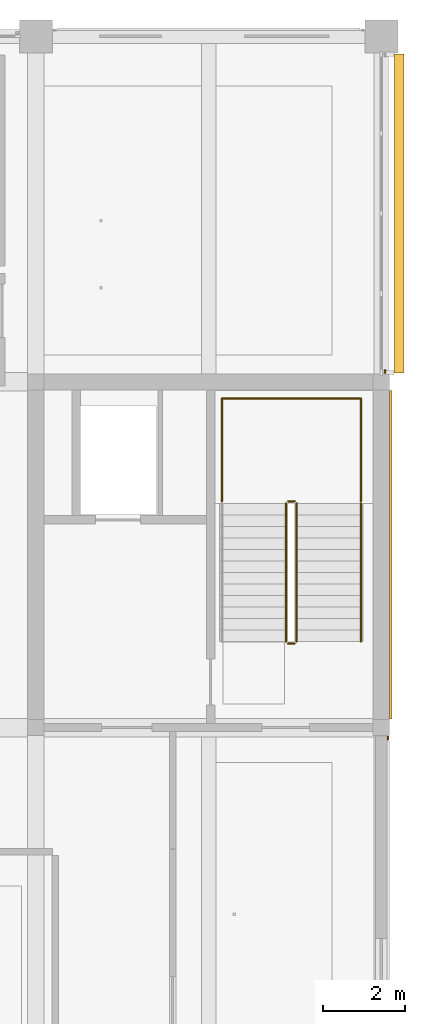
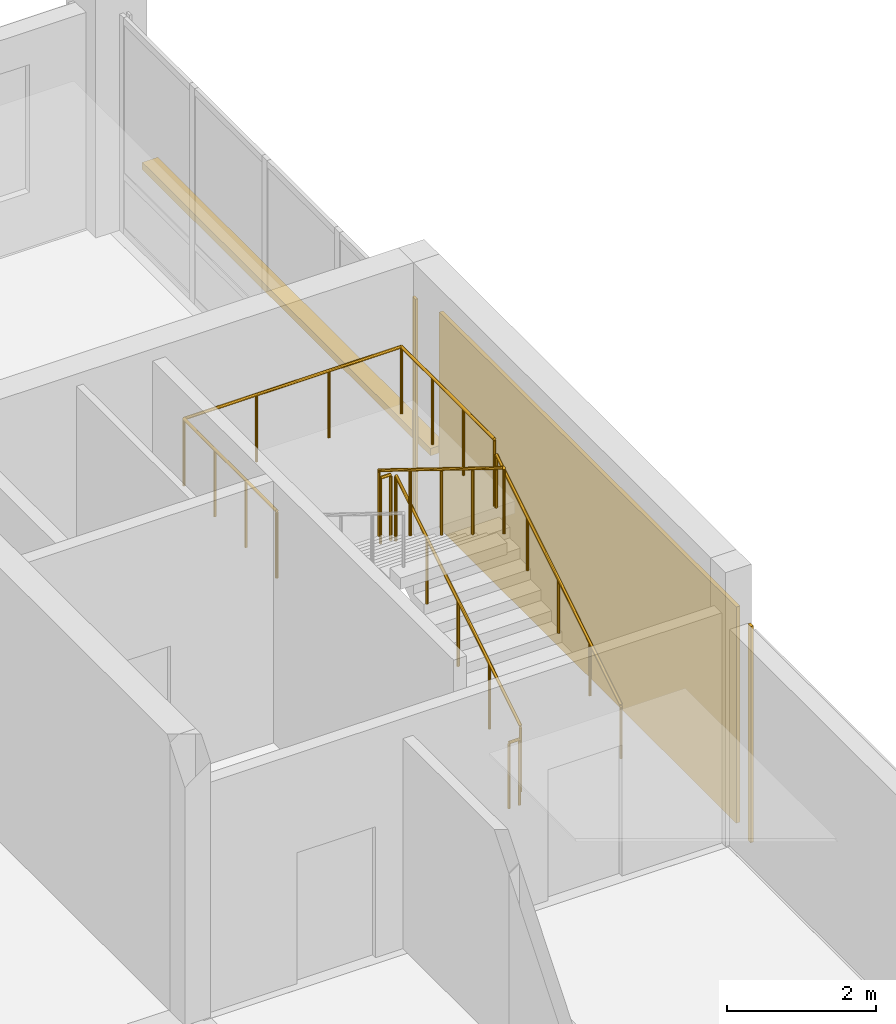
# One storey, part 31 of 34: 6 railings, 3 coverings, 1 shading device.
"""IFC4 building model written with IfcOpenShell, lengths in metres."""

from ifc_helpers import new_model, si_unit, direction, frame, origin, origin_2d, place, context, subcontext, project, spatial, rectangle, circle, extrude, material, layer, layer_set, type_object, element, save


model = new_model("IFC4")

# Units and contexts
model_context = context("Model", 3, precision=1e-05, world=origin(), true_north=direction((0.0, 1.0)))
body_context = subcontext(model_context, "Body", "Model", "MODEL_VIEW")
ifc_project = project(units=[si_unit("LENGTHUNIT", "METRE"), si_unit("AREAUNIT", "SQUARE_METRE"), si_unit("VOLUMEUNIT", "CUBIC_METRE"), si_unit("PLANEANGLEUNIT", "RADIAN"), si_unit("MASSUNIT", "GRAM", prefix="KILO")], contexts=[model_context])

# Site, building, storey
site_placement = place(None, origin())
site = spatial("IfcSite", under=ifc_project, at=site_placement, CompositionType="ELEMENT")
building_placement = place(site_placement, origin())
building = spatial("IfcBuilding", under=site, at=building_placement, Name="Telukmera Botanical Conservatory", CompositionType="ELEMENT")
storey_placement = place(building_placement, frame((0.0, 0.0, 37.5)))
storey = spatial("IfcBuildingStorey", under=building, at=storey_placement, Name="L08", CompositionType="ELEMENT", Elevation=37.5)

# Coverings
ifc_material_1 = material(Name="Granite-faced precast concrete C40/50", Category="masonry")
ifc_layer_1 = layer(ifc_material_1, 0.0400390625)
ifc_layer_set_1 = layer_set([ifc_layer_1], Name="Granite-faced precast concrete C40/50")
covering_type_1 = type_object("IfcCoveringType", Name="Granite Precast Column Pier Reveal Casing", PredefinedType="CLADDING", material=ifc_layer_set_1)
for number, where, z_axis, x_axis, name in (
    (1, (100.9599609375, 25.748046875, 0.0), (0.0, 0.0, 1.0), (0.0, 1.0, 0.0), "Granite Pier Reveal V4:L08:E2 R"),
    (2, (100.889892578125, 34.652099609375, 0.0), (0.0, 0.0, 1.0), (0.0, 1.0, 0.0), "Granite Pier Reveal V4:L08:E4 L"),
):
    element("IfcCovering", number, at=place(storey_placement, frame(where, z_axis=z_axis, x_axis=x_axis)), inside=storey, type_object=covering_type_1, Name=name, PredefinedType="CLADDING", context=body_context, shape_type="SweptSolid", body=[
        extrude(rectangle(XDim=0.080078125, YDim=0.0400390625, at=origin_2d()), origin(), (0.0, 0.0, 1.0), 3.550048828125),
    ])

# Shading device
ifc_material_2 = material(Name="Perforated terracotta-anodised aluminium 6063-T6", Category="masonry")
ifc_layer_2 = layer(ifc_material_2, 0.044921875)
ifc_layer_set_2 = layer_set([ifc_layer_2], Name="Perforated terracotta-anodised aluminium 6063-T6")
shading_device_type = type_object("IfcShadingDeviceType", Name="Perforated Terracotta Aluminium Monsoon Brise Soleil", PredefinedType="JALOUSIE", material=ifc_layer_set_2)
shading_device_placement = place(storey_placement, frame((101.22998046875, 38.5, 0.889892578125), z_axis=(0.0, 0.0, 1.0), x_axis=(0.0, 1.0, 0.0)))
element("IfcShadingDevice", 3, at=shading_device_placement, inside=storey, type_object=shading_device_type, Name="Monsoon Shading BS01 V4:L08:E4", PredefinedType="JALOUSIE", context=body_context, shape_type="SweptSolid", body=[
    extrude(rectangle(XDim=7.756103515625, YDim=0.239990234375, at=origin_2d()), origin(), (0.0, 0.0, 1.0), 0.1201171875),
])

# Railings
ifc_material_3 = material(Name="Steel S355", Category="steel")
railing_type_1 = type_object("IfcRailingType", Name="RL-GUARD-1100", PredefinedType="GUARDRAIL", material=ifc_material_3)
railing_1_placement = place(storey_placement, frame((98.739990234375, 28.090087890625, 0.173095703125)))
element("IfcRailing", 4, at=railing_1_placement, inside=storey, type_object=railing_type_1, Name="L08 ST2 stair guard 1", PredefinedType="GUARDRAIL", context=body_context, shape_type="SweptSolid", body=[
    extrude(circle(Radius=0.02392578125, at=origin_2d()), frame((0.0, 0.0, 1.076171875), z_axis=(0.0, 0.850606129759, 0.525803396734), x_axis=(-1.0, 0.0, 0.0)), (0.0, 0.0, 1.0), 3.949951171875),
    extrude(circle(Radius=0.02099609375, at=origin_2d()), origin(), (0.0, 0.0, 1.0), 1.052001953125),
    extrude(circle(Radius=0.02099609375, at=origin_2d()), frame((0.0, 0.83984375, 0.519287109375)), (0.0, 0.0, 1.0), 1.052001953125),
    extrude(circle(Radius=0.02099609375, at=origin_2d()), frame((0.0, 1.679931640625, 1.03857421875)), (0.0, 0.0, 1.0), 1.052001953125),
    extrude(circle(Radius=0.02099609375, at=origin_2d()), frame((0.0, 2.52001953125, 1.5576171875)), (0.0, 0.0, 1.0), 1.052001953125),
    extrude(circle(Radius=0.02099609375, at=origin_2d()), frame((0.0, 3.35986328125, 2.076904296875)), (0.0, 0.0, 1.0), 1.052001953125),
])
railing_2_placement = place(storey_placement, frame((98.68994140625, 31.5, 2.25)))
element("IfcRailing", 5, at=railing_2_placement, inside=storey, type_object=railing_type_1, Name="L08 ST2 stair guard 2", PredefinedType="GUARDRAIL", context=body_context, shape_type="SweptSolid", body=[
    extrude(circle(Radius=0.02392578125, at=origin_2d()), frame((0.0, 0.0, 1.076171875), z_axis=(-1.0, 0.0, 0.0), x_axis=(0.0, -1.0, 0.0)), (0.0, 0.0, 1.0), 0.159912109375),
    extrude(circle(Radius=0.02099609375, at=origin_2d()), origin(), (0.0, 0.0, 1.0), 1.052001953125),
    extrude(circle(Radius=0.02099609375, at=origin_2d()), frame((-0.159912109375, 0.0, 0.0)), (0.0, 0.0, 1.0), 1.052001953125),
])
railing_3_placement = place(storey_placement, frame((98.47998046875, 31.449951171875, 2.423095703125)))
element("IfcRailing", 6, at=railing_3_placement, inside=storey, type_object=railing_type_1, Name="L08 ST2 stair guard 3", PredefinedType="GUARDRAIL", context=body_context, shape_type="SweptSolid", body=[
    extrude(circle(Radius=0.02392578125, at=origin_2d()), frame((0.0, 0.0, 1.076171875), z_axis=(0.0, -0.850606129759, 0.525803396734), x_axis=(1.0, 0.0, 0.0)), (0.0, 0.0, 1.0), 3.949951171875),
    extrude(circle(Radius=0.02099609375, at=origin_2d()), origin(), (0.0, 0.0, 1.0), 1.052001953125),
    extrude(circle(Radius=0.02099609375, at=origin_2d()), frame((0.0, -0.83984375, 0.519287109375)), (0.0, 0.0, 1.0), 1.052001953125),
    extrude(circle(Radius=0.02099609375, at=origin_2d()), frame((0.0, -1.679931640625, 1.03857421875)), (0.0, 0.0, 1.0), 1.052001953125),
    extrude(circle(Radius=0.02099609375, at=origin_2d()), frame((0.0, -2.52001953125, 1.5576171875)), (0.0, 0.0, 1.0), 1.052001953125),
    extrude(circle(Radius=0.02099609375, at=origin_2d()), frame((0.0, -3.35986328125, 2.076904296875)), (0.0, 0.0, 1.0), 1.052001953125),
])
railing_4_placement = place(storey_placement, frame((98.68994140625, 28.0400390625, 0.0)))
element("IfcRailing", 7, at=railing_4_placement, inside=storey, type_object=railing_type_1, Name="L08 ST2 stair guard 4", PredefinedType="GUARDRAIL", context=body_context, shape_type="SweptSolid", body=[
    extrude(circle(Radius=0.02392578125, at=origin_2d()), frame((0.0, 0.0, 1.076171875), z_axis=(-1.0, 0.0, 0.0), x_axis=(0.0, -1.0, 0.0)), (0.0, 0.0, 1.0), 0.159912109375),
    extrude(circle(Radius=0.02099609375, at=origin_2d()), origin(), (0.0, 0.0, 1.0), 1.052001953125),
    extrude(circle(Radius=0.02099609375, at=origin_2d()), frame((-0.159912109375, 0.0, 0.0)), (0.0, 0.0, 1.0), 1.052001953125),
])
railing_5_placement = place(storey_placement, frame((100.300048828125, 31.5, 2.25)))
element("IfcRailing", 8, at=railing_5_placement, inside=storey, type_object=railing_type_1, Name="L08 ST2 half-landing perimeter guard 1", PredefinedType="GUARDRAIL", context=body_context, shape_type="SweptSolid", body=[
    extrude(circle(Radius=0.02392578125, at=origin_2d()), frame((0.0, 0.0, 1.09619140625), z_axis=(0.0, 1.0, 0.0), x_axis=(-1.0, 0.0, 0.0)), (0.0, 0.0, 1.0), 2.5),
    extrude(circle(Radius=0.02392578125, at=origin_2d()), frame((0.0, 2.5, 1.09619140625), z_axis=(-1.0, 0.0, 0.0), x_axis=(0.0, -1.0, 0.0)), (0.0, 0.0, 1.0), 3.380126953125),
    extrude(circle(Radius=0.02392578125, at=origin_2d()), frame((-3.380126953125, 2.5, 1.09619140625), z_axis=(0.0, -1.0, 0.0), x_axis=(1.0, 0.0, 0.0)), (0.0, 0.0, 1.0), 2.5),
    extrude(circle(Radius=0.02099609375, at=origin_2d()), origin(), (0.0, 0.0, 1.0), 1.072021484375),
    extrude(circle(Radius=0.02099609375, at=origin_2d()), frame((0.0, 0.833251953125, 0.0)), (0.0, 0.0, 1.0), 1.072021484375),
    extrude(circle(Radius=0.02099609375, at=origin_2d()), frame((0.0, 1.666748046875, 0.0)), (0.0, 0.0, 1.0), 1.072021484375),
    extrude(circle(Radius=0.02099609375, at=origin_2d()), frame((0.0, 2.5, 0.0)), (0.0, 0.0, 1.0), 1.072021484375),
    extrude(circle(Radius=0.02099609375, at=origin_2d()), frame((-1.126708984375, 2.5, 0.0)), (0.0, 0.0, 1.0), 1.072021484375),
    extrude(circle(Radius=0.02099609375, at=origin_2d()), frame((-2.25341796875, 2.5, 0.0)), (0.0, 0.0, 1.0), 1.072021484375),
    extrude(circle(Radius=0.02099609375, at=origin_2d()), frame((-3.380126953125, 2.5, 0.0)), (0.0, 0.0, 1.0), 1.072021484375),
    extrude(circle(Radius=0.02099609375, at=origin_2d()), frame((-3.380126953125, 1.666748046875, 0.0)), (0.0, 0.0, 1.0), 1.072021484375),
    extrude(circle(Radius=0.02099609375, at=origin_2d()), frame((-3.380126953125, 0.833251953125, 0.0)), (0.0, 0.0, 1.0), 1.072021484375),
    extrude(circle(Radius=0.02099609375, at=origin_2d()), frame((-3.380126953125, 0.0, 0.0)), (0.0, 0.0, 1.0), 1.072021484375),
])
ifc_material_4 = material(Name="Stainless steel 316", Category="steel")
railing_type_2 = type_object("IfcRailingType", Name="RL-HAND-900", PredefinedType="HANDRAIL", material=ifc_material_4)
railing_6_placement = place(storey_placement, frame((100.300048828125, 28.090087890625, 0.173095703125)))
element("IfcRailing", 9, at=railing_6_placement, inside=storey, type_object=railing_type_2, Name="L08 ST2 stair handrail 1", PredefinedType="HANDRAIL", context=body_context, shape_type="SweptSolid", body=[
    extrude(circle(Radius=0.02392578125, at=origin_2d()), frame((0.0, 0.0, 0.8759765625), z_axis=(0.0, 0.850606129759, 0.525803396734), x_axis=(-1.0, 0.0, 0.0)), (0.0, 0.0, 1.0), 3.949951171875),
    extrude(circle(Radius=0.02099609375, at=origin_2d()), origin(), (0.0, 0.0, 1.0), 0.851806640625),
    extrude(circle(Radius=0.02099609375, at=origin_2d()), frame((0.0, 0.83984375, 0.519287109375)), (0.0, 0.0, 1.0), 0.851806640625),
    extrude(circle(Radius=0.02099609375, at=origin_2d()), frame((0.0, 1.679931640625, 1.03857421875)), (0.0, 0.0, 1.0), 0.851806640625),
    extrude(circle(Radius=0.02099609375, at=origin_2d()), frame((0.0, 2.52001953125, 1.5576171875)), (0.0, 0.0, 1.0), 0.851806640625),
    extrude(circle(Radius=0.02099609375, at=origin_2d()), frame((0.0, 3.35986328125, 2.076904296875)), (0.0, 0.0, 1.0), 0.851806640625),
])

# Covering
ifc_material_5 = material(Name="Terracotta-faced precast concrete C40/50", Category="masonry")
ifc_layer_3 = layer(ifc_material_5, 0.06005859375)
ifc_layer_set_3 = layer_set([ifc_layer_3], Name="Terracotta-faced precast concrete C40/50")
covering_type_2 = type_object("IfcCoveringType", Name="Terracotta Core Perimeter Cladding Panel", PredefinedType="CLADDING", material=ifc_layer_set_3)
covering_placement = place(storey_placement, frame((101.030029296875, 30.199951171875, 0.0), z_axis=(0.0, 0.0, 1.0), x_axis=(0.0, 1.0, 0.0)))
element("IfcCovering", 10, at=covering_placement, inside=storey, type_object=covering_type_2, Name="Core Perimeter Terracotta Cladding V4:L08:E3", PredefinedType="CLADDING", context=body_context, shape_type="SweptSolid", body=[
    extrude(rectangle(XDim=7.99609375, YDim=0.06005859375, at=origin_2d()), origin(), (0.0, 0.0, 1.0), 3.550048828125),
])

save(model, "model.ifc")
